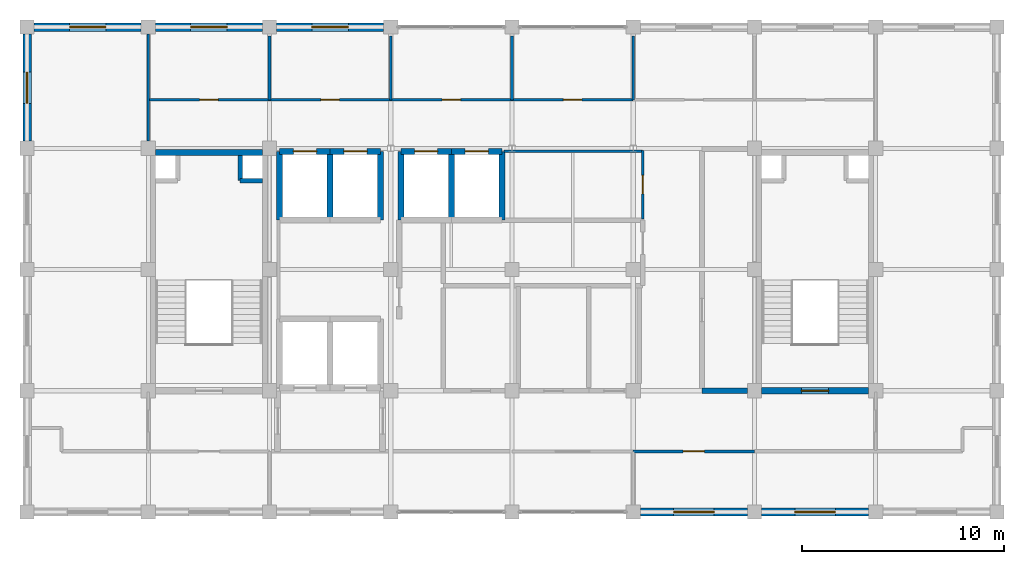
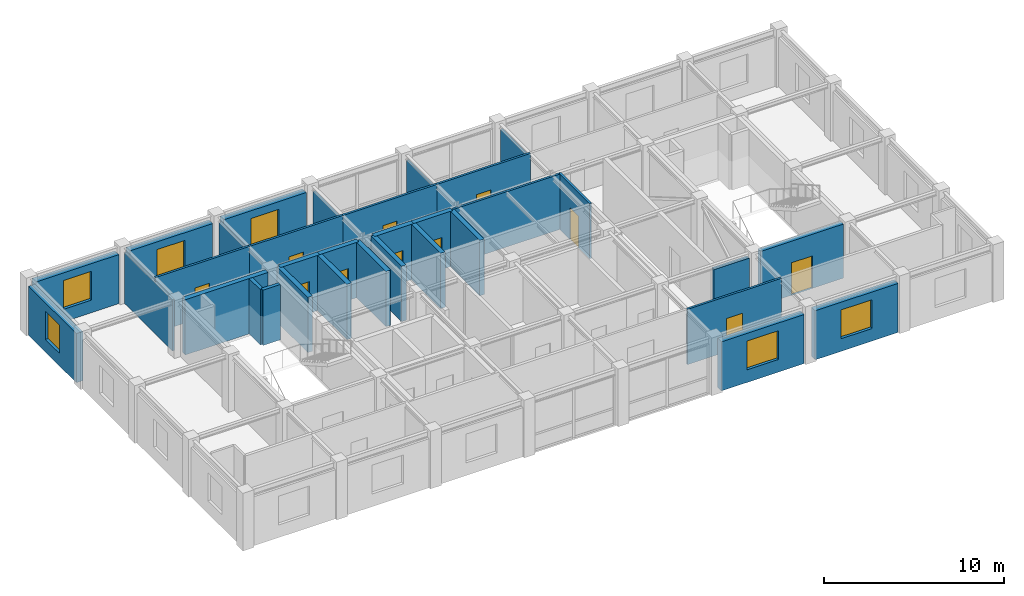
# One storey, part 9 of 11: 33 walls, 11 doors, 6 windows, 17 openings.
"""IFC4 building model written with IfcOpenShell, lengths in metres."""

from ifc_helpers import new_model, si_unit, direction, frame, frame_2d, origin, place, context, subcontext, project, spatial, rectangle, extrude, material, layer, layer_set, type_object, element, fill, save


model = new_model("IFC4")

# Units and contexts
model_context = context("Model", 3, precision=1e-05, world=origin(), true_north=direction((0.0, 1.0)))
body_context = subcontext(model_context, "Body", "Model", "MODEL_VIEW")
ifc_project = project(units=[si_unit("LENGTHUNIT", "METRE"), si_unit("AREAUNIT", "SQUARE_METRE"), si_unit("VOLUMEUNIT", "CUBIC_METRE"), si_unit("PLANEANGLEUNIT", "RADIAN"), si_unit("MASSUNIT", "GRAM", prefix="KILO")], contexts=[model_context])

# Site, building, storey
site_placement = place(None, origin())
site = spatial("IfcSite", under=ifc_project, at=site_placement, CompositionType="ELEMENT")
building_placement = place(site_placement, origin())
building = spatial("IfcBuilding", under=site, at=building_placement, Name="Zlatovratsky Civic Hall", CompositionType="ELEMENT")
storey_placement = place(building_placement, frame((0.0, 0.0, 60.0)))
storey = spatial("IfcBuildingStorey", under=building, at=storey_placement, Name="L15", CompositionType="ELEMENT", Elevation=60.0)

# Wall
ifc_material_1 = material(Name="Acoustic ceramic blockwork", Category="masonry")
ifc_layer_1 = layer(ifc_material_1, 0.260009765625)
ifc_layer_set_1 = layer_set([ifc_layer_1], Name="Acoustic ceramic blockwork")
wall_type_1 = type_object("IfcWallType", Name="Wall_ArchiveCompartment_260", PredefinedType="PARTITIONING", material=ifc_layer_set_1)
wall_1_placement = place(storey_placement, frame((93.39990234375, 84.0, 0.0), z_axis=(0.0, 0.0, 1.0), x_axis=(1.0, 0.0, 0.0)))
element("IfcWall", 1, at=wall_1_placement, inside=storey, type_object=wall_type_1, Name="WL-6687", PredefinedType="PARTITIONING", context=body_context, shape_type="SweptSolid", body=[
    extrude(rectangle(XDim=2.25, YDim=0.260009765625, at=frame_2d((1.125, 0.0))), origin(), (0.0, 0.0, 1.0), 3.448974609375),
])

# Wall, opening, door
ifc_material_2 = material(Name="Fire-rated gypsum board framing", Category="gypsum")
ifc_layer_2 = layer(ifc_material_2, 0.139892578125)
ifc_layer_set_2 = layer_set([ifc_layer_2], Name="Fire-rated gypsum board framing")
wall_type_2 = type_object("IfcWallType", Name="Wall_OfficePartition_140", PredefinedType="PARTITIONING", material=ifc_layer_set_2)
wall_2_placement = place(storey_placement, frame((90.0, 81.0, 0.0), z_axis=(0.0, 0.0, 1.0), x_axis=(1.0, 0.0, 0.0)))
wall_2 = element("IfcWall", 2, at=wall_2_placement, inside=storey, type_object=wall_type_2, Name="WL-6702", PredefinedType="PARTITIONING", context=body_context, shape_type="SweptSolid", body=[
    extrude(rectangle(XDim=6.0, YDim=0.139892578125, at=frame_2d((3.0, 0.0))), origin(), (0.0, 0.0, 1.0), 3.739990234375),
])
opening_1_placement = place(wall_2_placement, frame((2.47509765625, 0.0, 0.0)))
opening_1 = element("IfcOpeningElement", 3, at=opening_1_placement, cuts=wall_2, Name="Opening D-24", PredefinedType="OPENING", context=body_context, shape_type="SweptSolid", body=[
    extrude(rectangle(XDim=1.050048828125, YDim=2.25, at=frame_2d((0.52490234375, 1.125))), frame((0.0, 0.0849609375, 0.0), z_axis=(0.0, -1.0, 0.0), x_axis=(1.0, 0.0, 0.0)), (0.0, 0.0, 1.0), 0.169677734375),
])
ifc_material_3 = material(Name="Solid oak joinery in steel frame", Category="steel")
door_type_1 = type_object("IfcDoorType", Name="Door_DirectorateOffice_1050x2250", OperationType="NOTDEFINED", PredefinedType="DOOR", material=ifc_material_3)
door_1_placement = place(opening_1_placement, origin())
door_1 = element("IfcDoor", 4, at=door_1_placement, inside=storey, type_object=door_type_1, Name="DR-5526", OperationType="SINGLE_SWING_RIGHT", OverallHeight=2.25, OverallWidth=1.050048828125, PredefinedType="DOOR", context=body_context, shape_type="SweptSolid", body=[
    extrude(rectangle(XDim=1.050048828125, YDim=2.25, at=frame_2d((0.52490234375, 1.125))), frame((0.0, 0.02490234375, 0.0), z_axis=(0.0, -1.0, 0.0), x_axis=(1.0, 0.0, 0.0)), (0.0, 0.0, 1.0), 0.050048828125),
])
fill(opening_1, door_1)

wall_3_placement = place(storey_placement, frame((90.469970703125, 92.5, 0.0), z_axis=(0.0, 0.0, 1.0), x_axis=(0.0, 1.0, 0.0)))
wall_3 = element("IfcWall", 5, at=wall_3_placement, inside=storey, type_object=wall_type_2, Name="WL-6704", PredefinedType="PARTITIONING", context=body_context, shape_type="SweptSolid", body=[
    extrude(rectangle(XDim=3.39990234375, YDim=0.139892578125, at=frame_2d((1.699951171875, 0.0))), origin(), (0.0, 0.0, 1.0), 3.739990234375),
])
opening_2_placement = place(wall_3_placement, frame((1.239990234375, 0.0, 0.0)))
opening_2 = element("IfcOpeningElement", 6, at=opening_2_placement, cuts=wall_3, Name="Opening D-23", PredefinedType="OPENING", context=body_context, shape_type="SweptSolid", body=[
    extrude(rectangle(XDim=0.919921875, YDim=2.14990234375, at=frame_2d((0.4599609375, 1.074951171875))), frame((0.0, 0.0849609375, 0.0), z_axis=(0.0, -1.0, 0.0), x_axis=(1.0, 0.0, 0.0)), (0.0, 0.0, 1.0), 0.169677734375),
])
door_type_2 = type_object("IfcDoorType", Name="Door_OfficeStandard_920x2150", OperationType="NOTDEFINED", PredefinedType="DOOR", material=ifc_material_3)
door_2_placement = place(opening_2_placement, origin())
door_2 = element("IfcDoor", 7, at=door_2_placement, inside=storey, type_object=door_type_2, Name="DR-5528", OperationType="SINGLE_SWING_LEFT", OverallHeight=2.14990234375, OverallWidth=0.919921875, PredefinedType="DOOR", context=body_context, shape_type="SweptSolid", body=[
    extrude(rectangle(XDim=0.919921875, YDim=2.14990234375, at=frame_2d((0.4599609375, 1.074951171875))), frame((0.0, 0.02490234375, 0.0), z_axis=(0.0, -1.0, 0.0), x_axis=(1.0, 0.0, 0.0)), (0.0, 0.0, 1.0), 0.050048828125),
])
fill(opening_2, door_2)

wall_4_placement = place(storey_placement, frame((66.0, 98.39990234375, 0.0), z_axis=(0.0, 0.0, 1.0), x_axis=(1.0, 0.0, 0.0)))
wall_4 = element("IfcWall", 8, at=wall_4_placement, inside=storey, type_object=wall_type_2, Name="WL-6705", PredefinedType="PARTITIONING", context=body_context, shape_type="SweptSolid", body=[
    extrude(rectangle(XDim=6.0, YDim=0.139892578125, at=frame_2d((3.0, 0.0))), origin(), (0.0, 0.0, 1.0), 3.739990234375),
])
opening_3_placement = place(wall_4_placement, frame((2.5400390625, 0.0, 0.0)))
opening_3 = element("IfcOpeningElement", 9, at=opening_3_placement, cuts=wall_4, Name="Opening D-23", PredefinedType="OPENING", context=body_context, shape_type="SweptSolid", body=[
    extrude(rectangle(XDim=0.919921875, YDim=2.14990234375, at=frame_2d((0.4599609375, 1.074951171875))), frame((0.0, 0.0849609375, 0.0), z_axis=(0.0, -1.0, 0.0), x_axis=(1.0, 0.0, 0.0)), (0.0, 0.0, 1.0), 0.169677734375),
])
door_3_placement = place(opening_3_placement, origin())
door_3 = element("IfcDoor", 10, at=door_3_placement, inside=storey, type_object=door_type_2, Name="DR-5529", OperationType="SINGLE_SWING_RIGHT", OverallHeight=2.14990234375, OverallWidth=0.919921875, PredefinedType="DOOR", context=body_context, shape_type="SweptSolid", body=[
    extrude(rectangle(XDim=0.919921875, YDim=2.14990234375, at=frame_2d((0.4599609375, 1.074951171875))), frame((0.0, 0.02490234375, 0.0), z_axis=(0.0, -1.0, 0.0), x_axis=(1.0, 0.0, 0.0)), (0.0, 0.0, 1.0), 0.050048828125),
])
fill(opening_3, door_3)

wall_5_placement = place(storey_placement, frame((72.0, 98.39990234375, 0.0), z_axis=(0.0, 0.0, 1.0), x_axis=(1.0, 0.0, 0.0)))
wall_5 = element("IfcWall", 11, at=wall_5_placement, inside=storey, type_object=wall_type_2, Name="WL-6706", PredefinedType="PARTITIONING", context=body_context, shape_type="SweptSolid", body=[
    extrude(rectangle(XDim=6.0, YDim=0.139892578125, at=frame_2d((3.0, 0.0))), origin(), (0.0, 0.0, 1.0), 3.739990234375),
])
opening_4_placement = place(wall_5_placement, frame((2.5400390625, 0.0, 0.0)))
opening_4 = element("IfcOpeningElement", 12, at=opening_4_placement, cuts=wall_5, Name="Opening D-23", PredefinedType="OPENING", context=body_context, shape_type="SweptSolid", body=[
    extrude(rectangle(XDim=0.919921875, YDim=2.14990234375, at=frame_2d((0.4599609375, 1.074951171875))), frame((0.0, 0.0849609375, 0.0), z_axis=(0.0, -1.0, 0.0), x_axis=(1.0, 0.0, 0.0)), (0.0, 0.0, 1.0), 0.169677734375),
])
door_4_placement = place(opening_4_placement, origin())
door_4 = element("IfcDoor", 13, at=door_4_placement, inside=storey, type_object=door_type_2, Name="DR-5530", OperationType="SINGLE_SWING_RIGHT", OverallHeight=2.14990234375, OverallWidth=0.919921875, PredefinedType="DOOR", context=body_context, shape_type="SweptSolid", body=[
    extrude(rectangle(XDim=0.919921875, YDim=2.14990234375, at=frame_2d((0.4599609375, 1.074951171875))), frame((0.0, 0.02490234375, 0.0), z_axis=(0.0, -1.0, 0.0), x_axis=(1.0, 0.0, 0.0)), (0.0, 0.0, 1.0), 0.050048828125),
])
fill(opening_4, door_4)

wall_6_placement = place(storey_placement, frame((78.0, 98.39990234375, 0.0), z_axis=(0.0, 0.0, 1.0), x_axis=(1.0, 0.0, 0.0)))
wall_6 = element("IfcWall", 14, at=wall_6_placement, inside=storey, type_object=wall_type_2, Name="WL-6707", PredefinedType="PARTITIONING", context=body_context, shape_type="SweptSolid", body=[
    extrude(rectangle(XDim=6.0, YDim=0.139892578125, at=frame_2d((3.0, 0.0))), origin(), (0.0, 0.0, 1.0), 3.739990234375),
])
opening_5_placement = place(wall_6_placement, frame((2.5400390625, 0.0, 0.0)))
opening_5 = element("IfcOpeningElement", 15, at=opening_5_placement, cuts=wall_6, Name="Opening D-23", PredefinedType="OPENING", context=body_context, shape_type="SweptSolid", body=[
    extrude(rectangle(XDim=0.919921875, YDim=2.14990234375, at=frame_2d((0.4599609375, 1.074951171875))), frame((0.0, 0.0849609375, 0.0), z_axis=(0.0, -1.0, 0.0), x_axis=(1.0, 0.0, 0.0)), (0.0, 0.0, 1.0), 0.169677734375),
])
door_5_placement = place(opening_5_placement, origin())
door_5 = element("IfcDoor", 16, at=door_5_placement, inside=storey, type_object=door_type_2, Name="DR-5531", OperationType="SINGLE_SWING_RIGHT", OverallHeight=2.14990234375, OverallWidth=0.919921875, PredefinedType="DOOR", context=body_context, shape_type="SweptSolid", body=[
    extrude(rectangle(XDim=0.919921875, YDim=2.14990234375, at=frame_2d((0.4599609375, 1.074951171875))), frame((0.0, 0.02490234375, 0.0), z_axis=(0.0, -1.0, 0.0), x_axis=(1.0, 0.0, 0.0)), (0.0, 0.0, 1.0), 0.050048828125),
])
fill(opening_5, door_5)

wall_7_placement = place(storey_placement, frame((84.0, 98.39990234375, 0.0), z_axis=(0.0, 0.0, 1.0), x_axis=(1.0, 0.0, 0.0)))
wall_7 = element("IfcWall", 17, at=wall_7_placement, inside=storey, type_object=wall_type_2, Name="WL-6708", PredefinedType="PARTITIONING", context=body_context, shape_type="SweptSolid", body=[
    extrude(rectangle(XDim=6.0, YDim=0.139892578125, at=frame_2d((3.0, 0.0))), origin(), (0.0, 0.0, 1.0), 3.739990234375),
])
opening_6_placement = place(wall_7_placement, frame((2.5400390625, 0.0, 0.0)))
opening_6 = element("IfcOpeningElement", 18, at=opening_6_placement, cuts=wall_7, Name="Opening D-23", PredefinedType="OPENING", context=body_context, shape_type="SweptSolid", body=[
    extrude(rectangle(XDim=0.919921875, YDim=2.14990234375, at=frame_2d((0.4599609375, 1.074951171875))), frame((0.0, 0.0849609375, 0.0), z_axis=(0.0, -1.0, 0.0), x_axis=(1.0, 0.0, 0.0)), (0.0, 0.0, 1.0), 0.169677734375),
])
door_6_placement = place(opening_6_placement, origin())
door_6 = element("IfcDoor", 19, at=door_6_placement, inside=storey, type_object=door_type_2, Name="DR-5532", OperationType="SINGLE_SWING_RIGHT", OverallHeight=2.14990234375, OverallWidth=0.919921875, PredefinedType="DOOR", context=body_context, shape_type="SweptSolid", body=[
    extrude(rectangle(XDim=0.919921875, YDim=2.14990234375, at=frame_2d((0.4599609375, 1.074951171875))), frame((0.0, 0.02490234375, 0.0), z_axis=(0.0, -1.0, 0.0), x_axis=(1.0, 0.0, 0.0)), (0.0, 0.0, 1.0), 0.050048828125),
])
fill(opening_6, door_6)

# Walls
wall_8_placement = place(storey_placement, frame((83.60009765625, 95.85009765625, 0.0), z_axis=(0.0, 0.0, 1.0), x_axis=(1.0, 0.0, 0.0)))
element("IfcWall", 20, at=wall_8_placement, inside=storey, type_object=wall_type_2, Name="WL-6714", PredefinedType="PARTITIONING", context=body_context, shape_type="SweptSolid", body=[
    extrude(rectangle(XDim=6.869873046875, YDim=0.139892578125, at=frame_2d((3.43505859375, 0.0))), origin(), (0.0, 0.0, 1.0), 3.739990234375),
])
for number, where, z_axis, x_axis, name in (
    (21, (72.0, 98.39990234375, 0.0), (0.0, 0.0, 1.0), (0.0, 1.0, 0.0), "WL-6715"),
    (22, (78.0, 98.39990234375, 0.0), (0.0, 0.0, 1.0), (0.0, 1.0, 0.0), "WL-6716"),
    (23, (84.0, 98.39990234375, 0.0), (0.0, 0.0, 1.0), (0.0, 1.0, 0.0), "WL-6717"),
    (24, (90.0, 98.39990234375, 0.0), (0.0, 0.0, 1.0), (0.0, 1.0, 0.0), "WL-6718"),
):
    element("IfcWall", number, at=place(storey_placement, frame(where, z_axis=z_axis, x_axis=x_axis)), inside=storey, type_object=wall_type_2, Name=name, PredefinedType="PARTITIONING", context=body_context, shape_type="SweptSolid", body=[
        extrude(rectangle(XDim=3.150146484375, YDim=0.139892578125, at=frame_2d((1.5751953125, 0.0))), origin(), (0.0, 0.0, 1.0), 3.448974609375),
    ])
wall_9_placement = place(storey_placement, frame((66.0, 96.35009765625, 0.0), z_axis=(0.0, 0.0, 1.0), x_axis=(0.0, 1.0, 0.0)))
element("IfcWall", 25, at=wall_9_placement, inside=storey, type_object=wall_type_2, Name="WL-6731", PredefinedType="PARTITIONING", context=body_context, shape_type="SweptSolid", body=[
    extrude(rectangle(XDim=5.2998046875, YDim=0.139892578125, at=frame_2d((2.64990234375, 0.0))), origin(), (0.0, 0.0, 1.0), 3.448974609375),
])
ifc_layer_3 = layer(ifc_material_1, 0.219970703125)
ifc_layer_set_3 = layer_set([ifc_layer_3], Name="Acoustic ceramic blockwork")
wall_type_3 = type_object("IfcWallType", Name="Wall_SanitaryWetCore_220", PredefinedType="PARTITIONING", material=ifc_layer_set_3)
wall_10_placement = place(storey_placement, frame((70.550048828125, 94.39990234375, 0.0), z_axis=(0.0, 0.0, 1.0), x_axis=(0.0, 1.0, 0.0)))
element("IfcWall", 26, at=wall_10_placement, inside=storey, type_object=wall_type_3, Name="WL-5127", PredefinedType="PARTITIONING", context=body_context, shape_type="SweptSolid", body=[
    extrude(rectangle(XDim=1.25, YDim=0.219970703125, at=frame_2d((0.625, 0.0))), origin(), (0.0, 0.0, 1.0), 3.739990234375),
])
wall_11_placement = place(storey_placement, frame((70.550048828125, 94.39990234375, 0.0), z_axis=(0.0, 0.0, 1.0), x_axis=(1.0, 0.0, 0.0)))
element("IfcWall", 27, at=wall_11_placement, inside=storey, type_object=wall_type_3, Name="WL-5128", PredefinedType="PARTITIONING", context=body_context, shape_type="SweptSolid", body=[
    extrude(rectangle(XDim=1.099853515625, YDim=0.219970703125, at=frame_2d((0.5498046875, 0.0))), origin(), (0.0, 0.0, 1.0), 3.739990234375),
])
ifc_material_4 = material(Name="Concrete C35/45 (B40)", Category="concrete")
ifc_layer_4 = layer(ifc_material_4, 0.300048828125)
ifc_layer_set_4 = layer_set([ifc_layer_4], Name="Concrete C35/45 (B40)")
wall_type_4 = type_object("IfcWallType", Name="Wall_StairAndLiftShaft_300", PredefinedType="SHEAR", material=ifc_layer_set_4)
wall_12_placement = place(storey_placement, frame((66.35009765625, 95.800048828125, 0.0), z_axis=(0.0, 0.0, 1.0), x_axis=(1.0, 0.0, 0.0)))
element("IfcWall", 28, at=wall_12_placement, inside=storey, type_object=wall_type_4, Name="WL-5122", PredefinedType="SHEAR", context=body_context, shape_type="SweptSolid", body=[
    extrude(rectangle(XDim=5.2998046875, YDim=0.300048828125, at=frame_2d((2.64990234375, 0.0))), origin(), (0.0, 0.0, 1.0), 3.739990234375),
])

# Wall, opening, door
wall_13_placement = place(storey_placement, frame((96.35009765625, 84.0, 0.0), z_axis=(0.0, 0.0, 1.0), x_axis=(1.0, 0.0, 0.0)))
wall_13 = element("IfcWall", 29, at=wall_13_placement, inside=storey, type_object=wall_type_4, Name="WL-5279", PredefinedType="SHEAR", context=body_context, shape_type="SweptSolid", body=[
    extrude(rectangle(XDim=5.2998046875, YDim=0.300048828125, at=frame_2d((2.64990234375, 0.0))), origin(), (0.0, 0.0, 1.0), 3.659912109375),
])
opening_7_placement = place(wall_13_placement, frame((1.97509765625, 0.0, 0.0)))
opening_7 = element("IfcOpeningElement", 30, at=opening_7_placement, cuts=wall_13, Name="Opening D-17", PredefinedType="OPENING", context=body_context, shape_type="SweptSolid", body=[
    extrude(rectangle(XDim=1.35009765625, YDim=2.199951171875, at=frame_2d((0.675048828125, 1.10009765625))), frame((0.0, 0.1650390625, 0.0), z_axis=(0.0, -1.0, 0.0), x_axis=(1.0, 0.0, 0.0)), (0.0, 0.0, 1.0), 0.329833984375),
])
ifc_material_5 = material(Name="Insulated painted fire-rated steel leaf", Category="steel")
door_type_3 = type_object("IfcDoorType", Name="Door_StairwellFireTower_1350x2200", OperationType="NOTDEFINED", PredefinedType="DOOR", material=ifc_material_5)
door_7_placement = place(opening_7_placement, origin())
door_7 = element("IfcDoor", 31, at=door_7_placement, inside=storey, type_object=door_type_3, Name="DR-5035", OperationType="SINGLE_SWING_LEFT", OverallHeight=2.199951171875, OverallWidth=1.35009765625, PredefinedType="DOOR", context=body_context, shape_type="SweptSolid", body=[
    extrude(rectangle(XDim=1.35009765625, YDim=2.199951171875, at=frame_2d((0.675048828125, 1.10009765625))), frame((0.0, 0.02490234375, 0.0), z_axis=(0.0, -1.0, 0.0), x_axis=(1.0, 0.0, 0.0)), (0.0, 0.0, 1.0), 0.050048828125),
])
fill(opening_7, door_7)

wall_14_placement = place(storey_placement, frame((72.5, 95.85009765625, 0.0), z_axis=(0.0, 0.0, 1.0), x_axis=(1.0, 0.0, 0.0)))
wall_14 = element("IfcWall", 32, at=wall_14_placement, inside=storey, type_object=wall_type_4, Name="WL-5671", PredefinedType="SHEAR", context=body_context, shape_type="SweptSolid", body=[
    extrude(rectangle(XDim=2.5, YDim=0.300048828125, at=frame_2d((1.25, 0.0))), origin(), (0.0, 0.0, 1.0), 3.739990234375),
])
opening_8_placement = place(wall_14_placement, frame((0.675048828125, 0.0, 0.0)))
opening_8 = element("IfcOpeningElement", 33, at=opening_8_placement, cuts=wall_14, Name="Opening LD-02", PredefinedType="OPENING", context=body_context, shape_type="SweptSolid", body=[
    extrude(rectangle(XDim=1.14990234375, YDim=2.14990234375, at=frame_2d((0.574951171875, 1.074951171875))), frame((0.0, 0.1650390625, 0.0), z_axis=(0.0, -1.0, 0.0), x_axis=(1.0, 0.0, 0.0)), (0.0, 0.0, 1.0), 0.329833984375),
])
ifc_material_6 = material(Name="Brushed stainless steel AISI 304", Category="steel")
door_type_4 = type_object("IfcDoorType", Name="Door_LiftLandingHighRise_1150x2150", OperationType="DOUBLE_DOOR_SLIDING", PredefinedType="DOOR", material=ifc_material_6)
door_8_placement = place(opening_8_placement, origin())
door_8 = element("IfcDoor", 34, at=door_8_placement, inside=storey, type_object=door_type_4, Name="Lift landing door LD-5112", OperationType="DOUBLE_DOOR_SLIDING", OverallHeight=2.14990234375, OverallWidth=1.14990234375, PredefinedType="DOOR", context=body_context, shape_type="SweptSolid", body=[
    extrude(rectangle(XDim=1.14990234375, YDim=2.14990234375, at=frame_2d((0.574951171875, 1.074951171875))), frame((0.0, 0.02490234375, 0.0), z_axis=(0.0, -1.0, 0.0), x_axis=(1.0, 0.0, 0.0)), (0.0, 0.0, 1.0), 0.050048828125),
])
fill(opening_8, door_8)

# Wall
wall_15_placement = place(storey_placement, frame((72.5, 92.449951171875, 0.0), z_axis=(0.0, 0.0, 1.0), x_axis=(0.0, 1.0, 0.0)))
element("IfcWall", 35, at=wall_15_placement, inside=storey, type_object=wall_type_4, Name="WL-5673", PredefinedType="SHEAR", context=body_context, shape_type="SweptSolid", body=[
    extrude(rectangle(XDim=3.400146484375, YDim=0.300048828125, at=frame_2d((1.7001953125, 0.0))), origin(), (0.0, 0.0, 1.0), 3.739990234375),
])

# Wall, opening, door
wall_16_placement = place(storey_placement, frame((75.0, 95.85009765625, 0.0), z_axis=(0.0, 0.0, 1.0), x_axis=(1.0, 0.0, 0.0)))
wall_16 = element("IfcWall", 36, at=wall_16_placement, inside=storey, type_object=wall_type_4, Name="WL-5743", PredefinedType="SHEAR", context=body_context, shape_type="SweptSolid", body=[
    extrude(rectangle(XDim=2.5, YDim=0.300048828125, at=frame_2d((1.25, 0.0))), origin(), (0.0, 0.0, 1.0), 3.739990234375),
])
opening_9_placement = place(wall_16_placement, frame((0.675048828125, 0.0, 0.0)))
opening_9 = element("IfcOpeningElement", 37, at=opening_9_placement, cuts=wall_16, Name="Opening LD-02", PredefinedType="OPENING", context=body_context, shape_type="SweptSolid", body=[
    extrude(rectangle(XDim=1.14990234375, YDim=2.14990234375, at=frame_2d((0.574951171875, 1.074951171875))), frame((0.0, 0.1650390625, 0.0), z_axis=(0.0, -1.0, 0.0), x_axis=(1.0, 0.0, 0.0)), (0.0, 0.0, 1.0), 0.329833984375),
])
door_9_placement = place(opening_9_placement, origin())
door_9 = element("IfcDoor", 38, at=door_9_placement, inside=storey, type_object=door_type_4, Name="Lift landing door LD-5131", OperationType="DOUBLE_DOOR_SLIDING", OverallHeight=2.14990234375, OverallWidth=1.14990234375, PredefinedType="DOOR", context=body_context, shape_type="SweptSolid", body=[
    extrude(rectangle(XDim=1.14990234375, YDim=2.14990234375, at=frame_2d((0.574951171875, 1.074951171875))), frame((0.0, 0.02490234375, 0.0), z_axis=(0.0, -1.0, 0.0), x_axis=(1.0, 0.0, 0.0)), (0.0, 0.0, 1.0), 0.050048828125),
])
fill(opening_9, door_9)

# Walls
for number, where, z_axis, x_axis, name in (
    (39, (75.0, 92.449951171875, 0.0), (0.0, 0.0, 1.0), (0.0, 1.0, 0.0), "WL-5745"),
    (40, (77.5, 92.449951171875, 0.0), (0.0, 0.0, 1.0), (0.0, 1.0, 0.0), "WL-5746"),
):
    element("IfcWall", number, at=place(storey_placement, frame(where, z_axis=z_axis, x_axis=x_axis)), inside=storey, type_object=wall_type_4, Name=name, PredefinedType="SHEAR", context=body_context, shape_type="SweptSolid", body=[
        extrude(rectangle(XDim=3.400146484375, YDim=0.300048828125, at=frame_2d((1.7001953125, 0.0))), origin(), (0.0, 0.0, 1.0), 3.739990234375),
    ])

# Wall, opening, door
wall_17_placement = place(storey_placement, frame((78.5, 95.85009765625, 0.0), z_axis=(0.0, 0.0, 1.0), x_axis=(1.0, 0.0, 0.0)))
wall_17 = element("IfcWall", 41, at=wall_17_placement, inside=storey, type_object=wall_type_4, Name="WL-5804", PredefinedType="SHEAR", context=body_context, shape_type="SweptSolid", body=[
    extrude(rectangle(XDim=2.5, YDim=0.300048828125, at=frame_2d((1.25, 0.0))), origin(), (0.0, 0.0, 1.0), 3.739990234375),
])
opening_10_placement = place(wall_17_placement, frame((0.675048828125, 0.0, 0.0)))
opening_10 = element("IfcOpeningElement", 42, at=opening_10_placement, cuts=wall_17, Name="Opening LD-02", PredefinedType="OPENING", context=body_context, shape_type="SweptSolid", body=[
    extrude(rectangle(XDim=1.14990234375, YDim=2.14990234375, at=frame_2d((0.574951171875, 1.074951171875))), frame((0.0, 0.1650390625, 0.0), z_axis=(0.0, -1.0, 0.0), x_axis=(1.0, 0.0, 0.0)), (0.0, 0.0, 1.0), 0.329833984375),
])
door_10_placement = place(opening_10_placement, origin())
door_10 = element("IfcDoor", 43, at=door_10_placement, inside=storey, type_object=door_type_4, Name="Lift landing door LD-5150", OperationType="DOUBLE_DOOR_SLIDING", OverallHeight=2.14990234375, OverallWidth=1.14990234375, PredefinedType="DOOR", context=body_context, shape_type="SweptSolid", body=[
    extrude(rectangle(XDim=1.14990234375, YDim=2.14990234375, at=frame_2d((0.574951171875, 1.074951171875))), frame((0.0, 0.02490234375, 0.0), z_axis=(0.0, -1.0, 0.0), x_axis=(1.0, 0.0, 0.0)), (0.0, 0.0, 1.0), 0.050048828125),
])
fill(opening_10, door_10)

# Wall
wall_18_placement = place(storey_placement, frame((78.5, 92.449951171875, 0.0), z_axis=(0.0, 0.0, 1.0), x_axis=(0.0, 1.0, 0.0)))
element("IfcWall", 44, at=wall_18_placement, inside=storey, type_object=wall_type_4, Name="WL-5806", PredefinedType="SHEAR", context=body_context, shape_type="SweptSolid", body=[
    extrude(rectangle(XDim=3.400146484375, YDim=0.300048828125, at=frame_2d((1.7001953125, 0.0))), origin(), (0.0, 0.0, 1.0), 3.739990234375),
])

# Wall, opening, door
wall_19_placement = place(storey_placement, frame((81.0, 95.85009765625, 0.0), z_axis=(0.0, 0.0, 1.0), x_axis=(1.0, 0.0, 0.0)))
wall_19 = element("IfcWall", 45, at=wall_19_placement, inside=storey, type_object=wall_type_4, Name="WL-5876", PredefinedType="SHEAR", context=body_context, shape_type="SweptSolid", body=[
    extrude(rectangle(XDim=2.5, YDim=0.300048828125, at=frame_2d((1.25, 0.0))), origin(), (0.0, 0.0, 1.0), 3.739990234375),
])
opening_11_placement = place(wall_19_placement, frame((0.675048828125, 0.0, 0.0)))
opening_11 = element("IfcOpeningElement", 46, at=opening_11_placement, cuts=wall_19, Name="Opening LD-02", PredefinedType="OPENING", context=body_context, shape_type="SweptSolid", body=[
    extrude(rectangle(XDim=1.14990234375, YDim=2.14990234375, at=frame_2d((0.574951171875, 1.074951171875))), frame((0.0, 0.1650390625, 0.0), z_axis=(0.0, -1.0, 0.0), x_axis=(1.0, 0.0, 0.0)), (0.0, 0.0, 1.0), 0.329833984375),
])
door_11_placement = place(opening_11_placement, origin())
door_11 = element("IfcDoor", 47, at=door_11_placement, inside=storey, type_object=door_type_4, Name="Lift landing door LD-5169", OperationType="DOUBLE_DOOR_SLIDING", OverallHeight=2.14990234375, OverallWidth=1.14990234375, PredefinedType="DOOR", context=body_context, shape_type="SweptSolid", body=[
    extrude(rectangle(XDim=1.14990234375, YDim=2.14990234375, at=frame_2d((0.574951171875, 1.074951171875))), frame((0.0, 0.02490234375, 0.0), z_axis=(0.0, -1.0, 0.0), x_axis=(1.0, 0.0, 0.0)), (0.0, 0.0, 1.0), 0.050048828125),
])
fill(opening_11, door_11)

# Walls
for number, where, z_axis, x_axis, name in (
    (48, (81.0, 92.449951171875, 0.0), (0.0, 0.0, 1.0), (0.0, 1.0, 0.0), "WL-5878"),
    (49, (83.5, 92.449951171875, 0.0), (0.0, 0.0, 1.0), (0.0, 1.0, 0.0), "WL-5879"),
):
    element("IfcWall", number, at=place(storey_placement, frame(where, z_axis=z_axis, x_axis=x_axis)), inside=storey, type_object=wall_type_4, Name=name, PredefinedType="SHEAR", context=body_context, shape_type="SweptSolid", body=[
        extrude(rectangle(XDim=3.400146484375, YDim=0.300048828125, at=frame_2d((1.7001953125, 0.0))), origin(), (0.0, 0.0, 1.0), 3.739990234375),
    ])

# Wall, opening, window
ifc_layer_5 = layer(ifc_material_1, 0.280029296875, Name="Backing")
ifc_material_7 = material(Name="Podolsk limestone ashlar", Category="masonry")
ifc_layer_6 = layer(ifc_material_7, 0.139892578125, Name="Finish")
ifc_layer_set_5 = layer_set([ifc_layer_5, ifc_layer_6], Name="Acoustic ceramic blockwork")
wall_type_5 = type_object("IfcWallType", Name="Wall_TowerLimestoneAshlar_420", PredefinedType="SOLIDWALL", material=ifc_layer_set_5)
wall_20_placement = place(storey_placement, frame((90.35009765625, 78.0, 0.0), z_axis=(0.0, 0.0, 1.0), x_axis=(1.0, 0.0, 0.0)))
wall_20 = element("IfcWall", 50, at=wall_20_placement, inside=storey, type_object=wall_type_5, Name="WL-0632", PredefinedType="SOLIDWALL", context=body_context, shape_type="SweptSolid", body=[
    extrude(rectangle(XDim=5.2998046875, YDim=0.419921875, at=frame_2d((2.64990234375, 0.0))), origin(), (0.0, 0.0, 1.0), 3.320068359375),
])
opening_12_placement = place(wall_20_placement, frame((1.64990234375, 0.0, 0.85009765625)))
opening_12 = element("IfcOpeningElement", 51, at=opening_12_placement, cuts=wall_20, Name="Opening WN-20", PredefinedType="OPENING", context=body_context, shape_type="SweptSolid", body=[
    extrude(rectangle(XDim=2.0, YDim=1.949951171875, at=frame_2d((1.0, 0.97509765625))), frame((0.0, 0.224853515625, 0.0), z_axis=(0.0, -1.0, 0.0), x_axis=(1.0, 0.0, 0.0)), (0.0, 0.0, 1.0), 0.44970703125),
])
ifc_material_8 = material(Name="Low-E laminated double glazing", Category="glass")
window_type_1 = type_object("IfcWindowType", Name="Window_TowerTier3South_2000x1950", PartitioningType="SINGLE_PANEL", PredefinedType="WINDOW", material=ifc_material_8)
window_1_placement = place(opening_12_placement, origin())
window_1 = element("IfcWindow", 52, at=window_1_placement, inside=storey, type_object=window_type_1, Name="WN-0504", OverallHeight=1.949951171875, OverallWidth=2.0, PartitioningType="SINGLE_PANEL", PredefinedType="WINDOW", context=body_context, shape_type="SweptSolid", body=[
    extrude(rectangle(XDim=2.0, YDim=1.949951171875, at=frame_2d((1.0, 0.97509765625))), frame((0.0, 0.030029296875, 0.0), z_axis=(0.0, -1.0, 0.0), x_axis=(1.0, 0.0, 0.0)), (0.0, 0.0, 1.0), 0.06005859375),
])
fill(opening_12, window_1)

wall_21_placement = place(storey_placement, frame((96.35009765625, 78.0, 0.0), z_axis=(0.0, 0.0, 1.0), x_axis=(1.0, 0.0, 0.0)))
wall_21 = element("IfcWall", 53, at=wall_21_placement, inside=storey, type_object=wall_type_5, Name="WL-0633", PredefinedType="SOLIDWALL", context=body_context, shape_type="SweptSolid", body=[
    extrude(rectangle(XDim=5.2998046875, YDim=0.419921875, at=frame_2d((2.64990234375, 0.0))), origin(), (0.0, 0.0, 1.0), 3.320068359375),
])
opening_13_placement = place(wall_21_placement, frame((1.64990234375, 0.0, 0.85009765625)))
opening_13 = element("IfcOpeningElement", 54, at=opening_13_placement, cuts=wall_21, Name="Opening WN-20", PredefinedType="OPENING", context=body_context, shape_type="SweptSolid", body=[
    extrude(rectangle(XDim=2.0, YDim=1.949951171875, at=frame_2d((1.0, 0.97509765625))), frame((0.0, 0.224853515625, 0.0), z_axis=(0.0, -1.0, 0.0), x_axis=(1.0, 0.0, 0.0)), (0.0, 0.0, 1.0), 0.44970703125),
])
window_2_placement = place(opening_13_placement, origin())
window_2 = element("IfcWindow", 55, at=window_2_placement, inside=storey, type_object=window_type_1, Name="WN-0505", OverallHeight=1.949951171875, OverallWidth=2.0, PartitioningType="SINGLE_PANEL", PredefinedType="WINDOW", context=body_context, shape_type="SweptSolid", body=[
    extrude(rectangle(XDim=2.0, YDim=1.949951171875, at=frame_2d((1.0, 0.97509765625))), frame((0.0, 0.030029296875, 0.0), z_axis=(0.0, -1.0, 0.0), x_axis=(1.0, 0.0, 0.0)), (0.0, 0.0, 1.0), 0.06005859375),
])
fill(opening_13, window_2)

wall_22_placement = place(storey_placement, frame((60.35009765625, 102.0, 0.0), z_axis=(0.0, 0.0, 1.0), x_axis=(1.0, 0.0, 0.0)))
wall_22 = element("IfcWall", 56, at=wall_22_placement, inside=storey, type_object=wall_type_5, Name="WL-0635", PredefinedType="SOLIDWALL", context=body_context, shape_type="SweptSolid", body=[
    extrude(rectangle(XDim=5.2998046875, YDim=0.419921875, at=frame_2d((2.64990234375, 0.0))), origin(), (0.0, 0.0, 1.0), 3.320068359375),
])
opening_14_placement = place(wall_22_placement, frame((1.75, 0.0, 0.85009765625)))
opening_14 = element("IfcOpeningElement", 57, at=opening_14_placement, cuts=wall_22, Name="Opening WN-21", PredefinedType="OPENING", context=body_context, shape_type="SweptSolid", body=[
    extrude(rectangle(XDim=1.800048828125, YDim=1.949951171875, at=frame_2d((0.89990234375, 0.97509765625))), frame((0.0, 0.224853515625, 0.0), z_axis=(0.0, -1.0, 0.0), x_axis=(1.0, 0.0, 0.0)), (0.0, 0.0, 1.0), 0.44970703125),
])
window_type_2 = type_object("IfcWindowType", Name="Window_TowerTier3North_1800x1950", PartitioningType="SINGLE_PANEL", PredefinedType="WINDOW", material=ifc_material_8)
window_3_placement = place(opening_14_placement, origin())
window_3 = element("IfcWindow", 58, at=window_3_placement, inside=storey, type_object=window_type_2, Name="WN-0507", OverallHeight=1.949951171875, OverallWidth=1.800048828125, PartitioningType="SINGLE_PANEL", PredefinedType="WINDOW", context=body_context, shape_type="SweptSolid", body=[
    extrude(rectangle(XDim=1.800048828125, YDim=1.949951171875, at=frame_2d((0.89990234375, 0.97509765625))), frame((0.0, 0.030029296875, 0.0), z_axis=(0.0, -1.0, 0.0), x_axis=(1.0, 0.0, 0.0)), (0.0, 0.0, 1.0), 0.06005859375),
])
fill(opening_14, window_3)

wall_23_placement = place(storey_placement, frame((66.35009765625, 102.0, 0.0), z_axis=(0.0, 0.0, 1.0), x_axis=(1.0, 0.0, 0.0)))
wall_23 = element("IfcWall", 59, at=wall_23_placement, inside=storey, type_object=wall_type_5, Name="WL-0636", PredefinedType="SOLIDWALL", context=body_context, shape_type="SweptSolid", body=[
    extrude(rectangle(XDim=5.2998046875, YDim=0.419921875, at=frame_2d((2.64990234375, 0.0))), origin(), (0.0, 0.0, 1.0), 3.320068359375),
])
opening_15_placement = place(wall_23_placement, frame((1.75, 0.0, 0.85009765625)))
opening_15 = element("IfcOpeningElement", 60, at=opening_15_placement, cuts=wall_23, Name="Opening WN-21", PredefinedType="OPENING", context=body_context, shape_type="SweptSolid", body=[
    extrude(rectangle(XDim=1.800048828125, YDim=1.949951171875, at=frame_2d((0.89990234375, 0.97509765625))), frame((0.0, 0.224853515625, 0.0), z_axis=(0.0, -1.0, 0.0), x_axis=(1.0, 0.0, 0.0)), (0.0, 0.0, 1.0), 0.44970703125),
])
window_4_placement = place(opening_15_placement, origin())
window_4 = element("IfcWindow", 61, at=window_4_placement, inside=storey, type_object=window_type_2, Name="WN-0508", OverallHeight=1.949951171875, OverallWidth=1.800048828125, PartitioningType="SINGLE_PANEL", PredefinedType="WINDOW", context=body_context, shape_type="SweptSolid", body=[
    extrude(rectangle(XDim=1.800048828125, YDim=1.949951171875, at=frame_2d((0.89990234375, 0.97509765625))), frame((0.0, 0.030029296875, 0.0), z_axis=(0.0, -1.0, 0.0), x_axis=(1.0, 0.0, 0.0)), (0.0, 0.0, 1.0), 0.06005859375),
])
fill(opening_15, window_4)

wall_24_placement = place(storey_placement, frame((72.35009765625, 102.0, 0.0), z_axis=(0.0, 0.0, 1.0), x_axis=(1.0, 0.0, 0.0)))
wall_24 = element("IfcWall", 62, at=wall_24_placement, inside=storey, type_object=wall_type_5, Name="WL-0637", PredefinedType="SOLIDWALL", context=body_context, shape_type="SweptSolid", body=[
    extrude(rectangle(XDim=5.2998046875, YDim=0.419921875, at=frame_2d((2.64990234375, 0.0))), origin(), (0.0, 0.0, 1.0), 3.320068359375),
])
opening_16_placement = place(wall_24_placement, frame((1.75, 0.0, 0.85009765625)))
opening_16 = element("IfcOpeningElement", 63, at=opening_16_placement, cuts=wall_24, Name="Opening WN-21", PredefinedType="OPENING", context=body_context, shape_type="SweptSolid", body=[
    extrude(rectangle(XDim=1.800048828125, YDim=1.949951171875, at=frame_2d((0.89990234375, 0.97509765625))), frame((0.0, 0.224853515625, 0.0), z_axis=(0.0, -1.0, 0.0), x_axis=(1.0, 0.0, 0.0)), (0.0, 0.0, 1.0), 0.44970703125),
])
window_5_placement = place(opening_16_placement, origin())
window_5 = element("IfcWindow", 64, at=window_5_placement, inside=storey, type_object=window_type_2, Name="WN-0509", OverallHeight=1.949951171875, OverallWidth=1.800048828125, PartitioningType="SINGLE_PANEL", PredefinedType="WINDOW", context=body_context, shape_type="SweptSolid", body=[
    extrude(rectangle(XDim=1.800048828125, YDim=1.949951171875, at=frame_2d((0.89990234375, 0.97509765625))), frame((0.0, 0.030029296875, 0.0), z_axis=(0.0, -1.0, 0.0), x_axis=(1.0, 0.0, 0.0)), (0.0, 0.0, 1.0), 0.06005859375),
])
fill(opening_16, window_5)

wall_25_placement = place(storey_placement, frame((60.0, 96.35009765625, 0.0), z_axis=(0.0, 0.0, 1.0), x_axis=(0.0, 1.0, 0.0)))
wall_25 = element("IfcWall", 65, at=wall_25_placement, inside=storey, type_object=wall_type_5, Name="WL-0644", PredefinedType="SOLIDWALL", context=body_context, shape_type="SweptSolid", body=[
    extrude(rectangle(XDim=5.2998046875, YDim=0.419921875, at=frame_2d((2.64990234375, 0.0))), origin(), (0.0, 0.0, 1.0), 3.320068359375),
])
opening_17_placement = place(wall_25_placement, frame((1.875, 0.0, 0.85009765625)))
opening_17 = element("IfcOpeningElement", 66, at=opening_17_placement, cuts=wall_25, Name="Opening WN-22", PredefinedType="OPENING", context=body_context, shape_type="SweptSolid", body=[
    extrude(rectangle(XDim=1.550048828125, YDim=1.89990234375, at=frame_2d((0.77490234375, 0.949951171875))), frame((0.0, 0.224853515625, 0.0), z_axis=(0.0, -1.0, 0.0), x_axis=(1.0, 0.0, 0.0)), (0.0, 0.0, 1.0), 0.44970703125),
])
window_type_3 = type_object("IfcWindowType", Name="Window_TowerTier3Flank_1550x1900", PartitioningType="SINGLE_PANEL", PredefinedType="WINDOW", material=ifc_material_8)
window_6_placement = place(opening_17_placement, origin())
window_6 = element("IfcWindow", 67, at=window_6_placement, inside=storey, type_object=window_type_3, Name="WN-0516", OverallHeight=1.89990234375, OverallWidth=1.550048828125, PartitioningType="SINGLE_PANEL", PredefinedType="WINDOW", context=body_context, shape_type="SweptSolid", body=[
    extrude(rectangle(XDim=1.550048828125, YDim=1.89990234375, at=frame_2d((0.77490234375, 0.949951171875))), frame((0.0, 0.030029296875, 0.0), z_axis=(0.0, -1.0, 0.0), x_axis=(1.0, 0.0, 0.0)), (0.0, 0.0, 1.0), 0.06005859375),
])
fill(opening_17, window_6)

save(model, "model.ifc")
